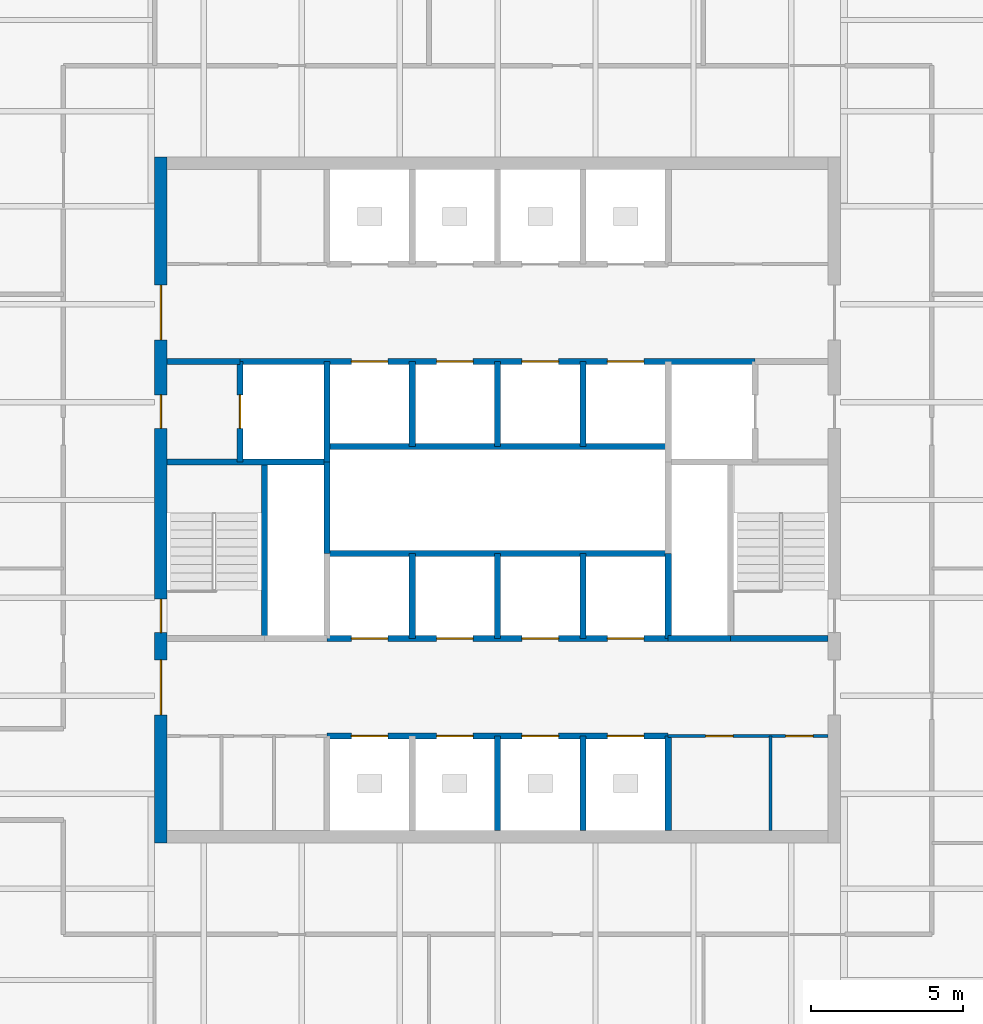
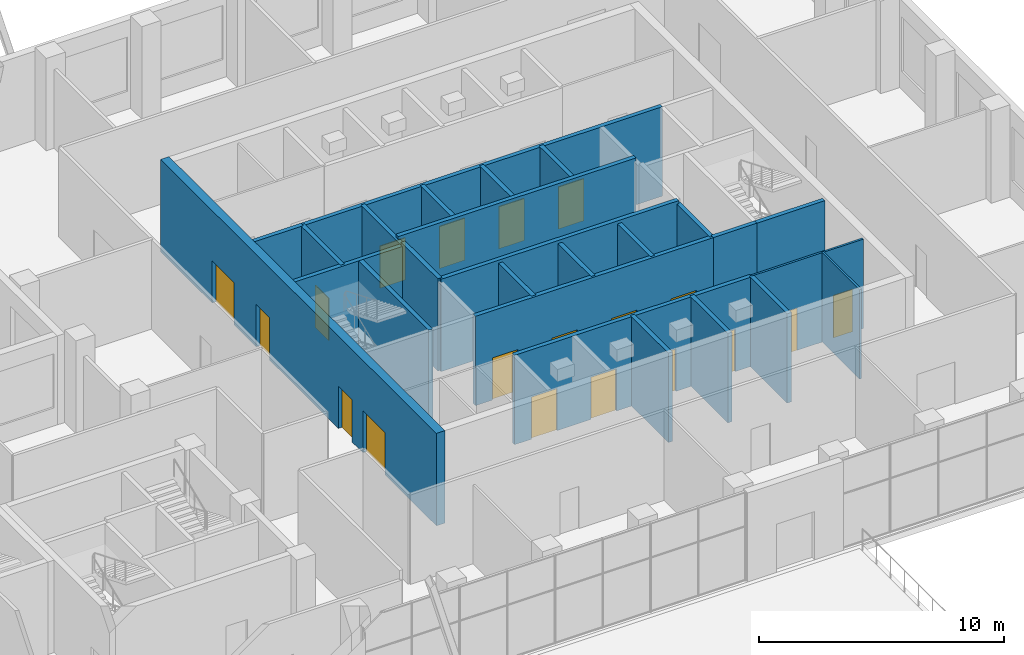
# One storey, part 9 of 14: 26 walls, 19 doors, 19 openings.
"""IFC4 building model written with IfcOpenShell, lengths in metres."""

from ifc_helpers import new_model, si_unit, direction, frame, frame_2d, origin, place, context, subcontext, project, spatial, rectangle, extrude, material, layer, layer_set, type_object, element, fill, save


model = new_model("IFC4")

# Units and contexts
model_context = context("Model", 3, precision=1e-05, world=origin(), true_north=direction((0.0, 1.0)))
body_context = subcontext(model_context, "Body", "Model", "MODEL_VIEW")
ifc_project = project(units=[si_unit("LENGTHUNIT", "METRE"), si_unit("AREAUNIT", "SQUARE_METRE"), si_unit("VOLUMEUNIT", "CUBIC_METRE"), si_unit("PLANEANGLEUNIT", "RADIAN"), si_unit("MASSUNIT", "GRAM", prefix="KILO")], contexts=[model_context])

# Site, building, storey
site_placement = place(None, origin())
site = spatial("IfcSite", under=ifc_project, at=site_placement, CompositionType="ELEMENT")
building_placement = place(site_placement, origin())
building = spatial("IfcBuilding", under=site, at=building_placement, Name="Quoin Convention Tower", CompositionType="ELEMENT")
storey_placement = place(building_placement, frame((0.0, 0.0, 143.10009765625)))
storey = spatial("IfcBuildingStorey", under=building, at=storey_placement, Name="L37", CompositionType="ELEMENT", Elevation=143.10009765625)

# Wall, openings, doors
ifc_material_1 = material(Name="Plasterboard")
ifc_layer_1 = layer(ifc_material_1, 0.012451171875, Name="Finish")
ifc_material_2 = material(Name="Steel stud framing", Category="steel")
ifc_layer_2 = layer(ifc_material_2, 0.074951171875, Name="Structure")
ifc_layer_3 = layer(ifc_material_1, 0.012451171875, Name="Finish")
ifc_layer_set_1 = layer_set([ifc_layer_1, ifc_layer_2, ifc_layer_3], Name="Steel stud framing")
wall_type_1 = type_object("IfcWallType", Name="Core partition wall", PredefinedType="PARTITIONING", material=ifc_layer_set_1)
wall_1_placement = place(storey_placement, frame((61.85009765625, 53.0, 0.0), z_axis=(0.0, 0.0, 1.0), x_axis=(1.0, 0.0, 0.0)))
wall_1 = element("IfcWall", 1, at=wall_1_placement, inside=storey, type_object=wall_type_1, Name="cr-C1-L37-h3500_16850", PredefinedType="PARTITIONING", context=body_context, shape_type="SweptSolid", body=[
    extrude(rectangle(XDim=5.25, YDim=0.10009765625, at=frame_2d((2.625, 0.0))), origin(), (0.0, 0.0, 1.0), 4.449951171875),
])
opening_1_placement = place(wall_1_placement, frame((3.85498046875, 0.0, 0.0)))
opening_1 = element("IfcOpeningElement", 2, at=opening_1_placement, cuts=wall_1, Name="Opening DCV1-26", PredefinedType="OPENING", context=body_context, shape_type="SweptSolid", body=[
    extrude(rectangle(XDim=0.89990234375, YDim=2.10009765625, at=frame_2d((0.449951171875, 1.050048828125))), frame((0.0, 0.06005859375, 0.0), z_axis=(0.0, -1.0, 0.0), x_axis=(1.0, 0.0, 0.0)), (0.0, 0.0, 1.0), 0.1201171875),
])
opening_2_placement = place(wall_1_placement, frame((1.22998046875, 0.0, 0.0)))
opening_2 = element("IfcOpeningElement", 3, at=opening_2_placement, cuts=wall_1, Name="Opening DCV1-22", PredefinedType="OPENING", context=body_context, shape_type="SweptSolid", body=[
    extrude(rectangle(XDim=0.89990234375, YDim=2.10009765625, at=frame_2d((0.449951171875, 1.050048828125))), frame((0.0, 0.06005859375, 0.0), z_axis=(0.0, -1.0, 0.0), x_axis=(1.0, 0.0, 0.0)), (0.0, 0.0, 1.0), 0.1201171875),
])
ifc_material_3 = material(Name="Steel door leaf", Category="steel")
door_type_1 = type_object("IfcDoorType", Name="Core room door 900 x 2100", OperationType="SINGLE_SWING_LEFT", PredefinedType="DOOR", material=ifc_material_3)
door_1_placement = place(opening_1_placement, frame((0.89990234375, 0.0, 0.0), z_axis=(0.0, 0.0, 1.0), x_axis=(-1.0, 0.0, 0.0)))
door_1 = element("IfcDoor", 4, at=door_1_placement, inside=storey, type_object=door_type_1, Name="cd-C1-L37-CSE0-lobA-CD3710", OperationType="SINGLE_SWING_LEFT", OverallHeight=2.10009765625, OverallWidth=0.89990234375, PredefinedType="DOOR", context=body_context, shape_type="SweptSolid", body=[
    extrude(rectangle(XDim=0.89990234375, YDim=2.10009765625, at=frame_2d((0.449951171875, 1.050048828125))), frame((0.0, 0.02490234375, 0.0), z_axis=(0.0, -1.0, 0.0), x_axis=(1.0, 0.0, 0.0)), (0.0, 0.0, 1.0), 0.050048828125),
])
fill(opening_1, door_1)
door_2_placement = place(opening_2_placement, frame((0.89990234375, 0.0, 0.0), z_axis=(0.0, 0.0, 1.0), x_axis=(-1.0, 0.0, 0.0)))
door_2 = element("IfcDoor", 5, at=door_2_placement, inside=storey, type_object=door_type_1, Name="cd-C1-L37-CSE1-lobA-CD3711", OperationType="SINGLE_SWING_LEFT", OverallHeight=2.10009765625, OverallWidth=0.89990234375, PredefinedType="DOOR", context=body_context, shape_type="SweptSolid", body=[
    extrude(rectangle(XDim=0.89990234375, YDim=2.10009765625, at=frame_2d((0.449951171875, 1.050048828125))), frame((0.0, 0.02490234375, 0.0), z_axis=(0.0, -1.0, 0.0), x_axis=(1.0, 0.0, 0.0)), (0.0, 0.0, 1.0), 0.050048828125),
])
fill(opening_2, door_2)

# Wall
wall_2_placement = place(storey_placement, frame((65.2099609375, 49.89990234375, 0.0), z_axis=(0.0, 0.0, 1.0), x_axis=(0.0, 1.0, 0.0)))
element("IfcWall", 6, at=wall_2_placement, inside=storey, type_object=wall_type_1, Name="cr-C1-L37-v20210_400", PredefinedType="PARTITIONING", context=body_context, shape_type="SweptSolid", body=[
    extrude(rectangle(XDim=3.10009765625, YDim=0.10009765625, at=frame_2d((1.550048828125, 0.0))), origin(), (0.0, 0.0, 1.0), 4.449951171875),
])

# Wall, openings, doors
ifc_material_4 = material(Name="Concrete C50", Category="concrete")
ifc_layer_4 = layer(ifc_material_4, 0.199951171875)
ifc_layer_set_2 = layer_set([ifc_layer_4], Name="Concrete C50")
wall_type_2 = type_object("IfcWallType", Name="Core shaft wall", PredefinedType="SOLIDWALL", material=ifc_layer_set_2)
wall_3_placement = place(storey_placement, frame((50.64990234375, 53.0, 0.0), z_axis=(0.0, 0.0, 1.0), x_axis=(1.0, 0.0, 0.0)))
wall_3 = element("IfcWall", 7, at=wall_3_placement, inside=storey, type_object=wall_type_2, Name="cr-C1-L37-h3500_5650", PredefinedType="SOLIDWALL", context=body_context, shape_type="SweptSolid", body=[
    extrude(rectangle(XDim=11.2001953125, YDim=0.199951171875, at=frame_2d((5.60009765625, 0.0))), origin(), (0.0, 0.0, 1.0), 4.449951171875),
])
opening_3_placement = place(wall_3_placement, frame((0.800048828125, 0.0, 0.0)))
opening_3 = element("IfcOpeningElement", 8, at=opening_3_placement, cuts=wall_3, Name="Opening LDL1", PredefinedType="OPENING", context=body_context, shape_type="SweptSolid", body=[
    extrude(rectangle(XDim=1.199951171875, YDim=2.10009765625, at=frame_2d((0.60009765625, 1.050048828125))), frame((0.0, 0.10986328125, 0.0), z_axis=(0.0, -1.0, 0.0), x_axis=(1.0, 0.0, 0.0)), (0.0, 0.0, 1.0), 0.219970703125),
])
opening_4_placement = place(wall_3_placement, frame((3.60009765625, 0.0, 0.0)))
opening_4 = element("IfcOpeningElement", 9, at=opening_4_placement, cuts=wall_3, Name="Opening LDL2", PredefinedType="OPENING", context=body_context, shape_type="SweptSolid", body=[
    extrude(rectangle(XDim=1.199951171875, YDim=2.10009765625, at=frame_2d((0.60009765625, 1.050048828125))), frame((0.0, 0.10986328125, 0.0), z_axis=(0.0, -1.0, 0.0), x_axis=(1.0, 0.0, 0.0)), (0.0, 0.0, 1.0), 0.219970703125),
])
opening_5_placement = place(wall_3_placement, frame((6.39990234375, 0.0, 0.0)))
opening_5 = element("IfcOpeningElement", 10, at=opening_5_placement, cuts=wall_3, Name="Opening LDL3", PredefinedType="OPENING", context=body_context, shape_type="SweptSolid", body=[
    extrude(rectangle(XDim=1.199951171875, YDim=2.10009765625, at=frame_2d((0.60009765625, 1.050048828125))), frame((0.0, 0.10986328125, 0.0), z_axis=(0.0, -1.0, 0.0), x_axis=(1.0, 0.0, 0.0)), (0.0, 0.0, 1.0), 0.219970703125),
])
opening_6_placement = place(wall_3_placement, frame((9.199951171875, 0.0, 0.0)))
opening_6 = element("IfcOpeningElement", 11, at=opening_6_placement, cuts=wall_3, Name="Opening LDL4", PredefinedType="OPENING", context=body_context, shape_type="SweptSolid", body=[
    extrude(rectangle(XDim=1.199951171875, YDim=2.10009765625, at=frame_2d((0.60009765625, 1.050048828125))), frame((0.0, 0.10986328125, 0.0), z_axis=(0.0, -1.0, 0.0), x_axis=(1.0, 0.0, 0.0)), (0.0, 0.0, 1.0), 0.219970703125),
])
door_type_2 = type_object("IfcDoorType", Name="Lift landing door 1200 x 2100", OperationType="DOUBLE_DOOR_SLIDING", PredefinedType="DOOR", material=ifc_material_3)
door_3_placement = place(opening_3_placement, origin())
door_3 = element("IfcDoor", 12, at=door_3_placement, inside=storey, type_object=door_type_2, Name="cd-C1-L37-R10-lobA-LDL1", OperationType="DOUBLE_DOOR_SLIDING", OverallHeight=2.10009765625, OverallWidth=1.199951171875, PredefinedType="DOOR", context=body_context, shape_type="SweptSolid", body=[
    extrude(rectangle(XDim=1.199951171875, YDim=2.10009765625, at=frame_2d((0.60009765625, 1.050048828125))), frame((0.0, 0.02490234375, 0.0), z_axis=(0.0, -1.0, 0.0), x_axis=(1.0, 0.0, 0.0)), (0.0, 0.0, 1.0), 0.050048828125),
])
fill(opening_3, door_3)
door_4_placement = place(opening_4_placement, origin())
door_4 = element("IfcDoor", 13, at=door_4_placement, inside=storey, type_object=door_type_2, Name="cd-C1-L37-R11-lobA-LDL2", OperationType="DOUBLE_DOOR_SLIDING", OverallHeight=2.10009765625, OverallWidth=1.199951171875, PredefinedType="DOOR", context=body_context, shape_type="SweptSolid", body=[
    extrude(rectangle(XDim=1.199951171875, YDim=2.10009765625, at=frame_2d((0.60009765625, 1.050048828125))), frame((0.0, 0.02490234375, 0.0), z_axis=(0.0, -1.0, 0.0), x_axis=(1.0, 0.0, 0.0)), (0.0, 0.0, 1.0), 0.050048828125),
])
fill(opening_4, door_4)
door_5_placement = place(opening_5_placement, origin())
door_5 = element("IfcDoor", 14, at=door_5_placement, inside=storey, type_object=door_type_2, Name="cd-C1-L37-R12-lobA-LDL3", OperationType="DOUBLE_DOOR_SLIDING", OverallHeight=2.10009765625, OverallWidth=1.199951171875, PredefinedType="DOOR", context=body_context, shape_type="SweptSolid", body=[
    extrude(rectangle(XDim=1.199951171875, YDim=2.10009765625, at=frame_2d((0.60009765625, 1.050048828125))), frame((0.0, 0.02490234375, 0.0), z_axis=(0.0, -1.0, 0.0), x_axis=(1.0, 0.0, 0.0)), (0.0, 0.0, 1.0), 0.050048828125),
])
fill(opening_5, door_5)
door_6_placement = place(opening_6_placement, origin())
door_6 = element("IfcDoor", 15, at=door_6_placement, inside=storey, type_object=door_type_2, Name="cd-C1-L37-R13-lobA-LDL4", OperationType="DOUBLE_DOOR_SLIDING", OverallHeight=2.10009765625, OverallWidth=1.199951171875, PredefinedType="DOOR", context=body_context, shape_type="SweptSolid", body=[
    extrude(rectangle(XDim=1.199951171875, YDim=2.10009765625, at=frame_2d((0.60009765625, 1.050048828125))), frame((0.0, 0.02490234375, 0.0), z_axis=(0.0, -1.0, 0.0), x_axis=(1.0, 0.0, 0.0)), (0.0, 0.0, 1.0), 0.050048828125),
])
fill(opening_6, door_6)

# Wall
wall_4_placement = place(storey_placement, frame((61.85009765625, 56.199951171875, 0.0), z_axis=(0.0, 0.0, 1.0), x_axis=(1.0, 0.0, 0.0)))
element("IfcWall", 16, at=wall_4_placement, inside=storey, type_object=wall_type_2, Name="cr-C1-L37-h6700_16850", PredefinedType="SOLIDWALL", context=body_context, shape_type="SweptSolid", body=[
    extrude(rectangle(XDim=2.0498046875, YDim=0.199951171875, at=frame_2d((1.02490234375, 0.0))), origin(), (0.0, 0.0, 1.0), 4.449951171875),
])

# Wall, openings, doors
wall_5_placement = place(storey_placement, frame((50.64990234375, 56.199951171875, 0.0), z_axis=(0.0, 0.0, 1.0), x_axis=(1.0, 0.0, 0.0)))
wall_5 = element("IfcWall", 17, at=wall_5_placement, inside=storey, type_object=wall_type_2, Name="cr-C1-L37-h6700_5650", PredefinedType="SOLIDWALL", context=body_context, shape_type="SweptSolid", body=[
    extrude(rectangle(XDim=11.2001953125, YDim=0.199951171875, at=frame_2d((5.60009765625, 0.0))), origin(), (0.0, 0.0, 1.0), 4.449951171875),
])
opening_7_placement = place(wall_5_placement, frame((0.800048828125, 0.0, 0.0)))
opening_7 = element("IfcOpeningElement", 18, at=opening_7_placement, cuts=wall_5, Name="Opening LDH1", PredefinedType="OPENING", context=body_context, shape_type="SweptSolid", body=[
    extrude(rectangle(XDim=1.199951171875, YDim=2.10009765625, at=frame_2d((0.60009765625, 1.050048828125))), frame((0.0, 0.10986328125, 0.0), z_axis=(0.0, -1.0, 0.0), x_axis=(1.0, 0.0, 0.0)), (0.0, 0.0, 1.0), 0.219970703125),
])
opening_8_placement = place(wall_5_placement, frame((3.60009765625, 0.0, 0.0)))
opening_8 = element("IfcOpeningElement", 19, at=opening_8_placement, cuts=wall_5, Name="Opening LDH2", PredefinedType="OPENING", context=body_context, shape_type="SweptSolid", body=[
    extrude(rectangle(XDim=1.199951171875, YDim=2.10009765625, at=frame_2d((0.60009765625, 1.050048828125))), frame((0.0, 0.10986328125, 0.0), z_axis=(0.0, -1.0, 0.0), x_axis=(1.0, 0.0, 0.0)), (0.0, 0.0, 1.0), 0.219970703125),
])
opening_9_placement = place(wall_5_placement, frame((6.39990234375, 0.0, 0.0)))
opening_9 = element("IfcOpeningElement", 20, at=opening_9_placement, cuts=wall_5, Name="Opening LDH3", PredefinedType="OPENING", context=body_context, shape_type="SweptSolid", body=[
    extrude(rectangle(XDim=1.199951171875, YDim=2.10009765625, at=frame_2d((0.60009765625, 1.050048828125))), frame((0.0, 0.10986328125, 0.0), z_axis=(0.0, -1.0, 0.0), x_axis=(1.0, 0.0, 0.0)), (0.0, 0.0, 1.0), 0.219970703125),
])
opening_10_placement = place(wall_5_placement, frame((9.199951171875, 0.0, 0.0)))
opening_10 = element("IfcOpeningElement", 21, at=opening_10_placement, cuts=wall_5, Name="Opening LDH4", PredefinedType="OPENING", context=body_context, shape_type="SweptSolid", body=[
    extrude(rectangle(XDim=1.199951171875, YDim=2.10009765625, at=frame_2d((0.60009765625, 1.050048828125))), frame((0.0, 0.10986328125, 0.0), z_axis=(0.0, -1.0, 0.0), x_axis=(1.0, 0.0, 0.0)), (0.0, 0.0, 1.0), 0.219970703125),
])
door_7_placement = place(opening_7_placement, origin())
door_7 = element("IfcDoor", 22, at=door_7_placement, inside=storey, type_object=door_type_2, Name="cd-C1-L37-R20-lobA-LDH1", OperationType="DOUBLE_DOOR_SLIDING", OverallHeight=2.10009765625, OverallWidth=1.199951171875, PredefinedType="DOOR", context=body_context, shape_type="SweptSolid", body=[
    extrude(rectangle(XDim=1.199951171875, YDim=2.10009765625, at=frame_2d((0.60009765625, 1.050048828125))), frame((0.0, 0.02490234375, 0.0), z_axis=(0.0, -1.0, 0.0), x_axis=(1.0, 0.0, 0.0)), (0.0, 0.0, 1.0), 0.050048828125),
])
fill(opening_7, door_7)
door_8_placement = place(opening_8_placement, origin())
door_8 = element("IfcDoor", 23, at=door_8_placement, inside=storey, type_object=door_type_2, Name="cd-C1-L37-R21-lobA-LDH2", OperationType="DOUBLE_DOOR_SLIDING", OverallHeight=2.10009765625, OverallWidth=1.199951171875, PredefinedType="DOOR", context=body_context, shape_type="SweptSolid", body=[
    extrude(rectangle(XDim=1.199951171875, YDim=2.10009765625, at=frame_2d((0.60009765625, 1.050048828125))), frame((0.0, 0.02490234375, 0.0), z_axis=(0.0, -1.0, 0.0), x_axis=(1.0, 0.0, 0.0)), (0.0, 0.0, 1.0), 0.050048828125),
])
fill(opening_8, door_8)
door_9_placement = place(opening_9_placement, origin())
door_9 = element("IfcDoor", 24, at=door_9_placement, inside=storey, type_object=door_type_2, Name="cd-C1-L37-R22-lobA-LDH3", OperationType="DOUBLE_DOOR_SLIDING", OverallHeight=2.10009765625, OverallWidth=1.199951171875, PredefinedType="DOOR", context=body_context, shape_type="SweptSolid", body=[
    extrude(rectangle(XDim=1.199951171875, YDim=2.10009765625, at=frame_2d((0.60009765625, 1.050048828125))), frame((0.0, 0.02490234375, 0.0), z_axis=(0.0, -1.0, 0.0), x_axis=(1.0, 0.0, 0.0)), (0.0, 0.0, 1.0), 0.050048828125),
])
fill(opening_9, door_9)
door_10_placement = place(opening_10_placement, origin())
door_10 = element("IfcDoor", 25, at=door_10_placement, inside=storey, type_object=door_type_2, Name="cd-C1-L37-R23-lobA-LDH4", OperationType="DOUBLE_DOOR_SLIDING", OverallHeight=2.10009765625, OverallWidth=1.199951171875, PredefinedType="DOOR", context=body_context, shape_type="SweptSolid", body=[
    extrude(rectangle(XDim=1.199951171875, YDim=2.10009765625, at=frame_2d((0.60009765625, 1.050048828125))), frame((0.0, 0.02490234375, 0.0), z_axis=(0.0, -1.0, 0.0), x_axis=(1.0, 0.0, 0.0)), (0.0, 0.0, 1.0), 0.050048828125),
])
fill(opening_10, door_10)

# Walls
wall_6_placement = place(storey_placement, frame((63.89990234375, 56.199951171875, 0.0), z_axis=(0.0, 0.0, 1.0), x_axis=(1.0, 0.0, 0.0)))
element("IfcWall", 26, at=wall_6_placement, inside=storey, type_object=wall_type_2, Name="cr-C1-L37-h6700_18900", PredefinedType="SOLIDWALL", context=body_context, shape_type="SweptSolid", body=[
    extrude(rectangle(XDim=3.2001953125, YDim=0.199951171875, at=frame_2d((1.60009765625, 0.0))), origin(), (0.0, 0.0, 1.0), 4.449951171875),
])
wall_7_placement = place(storey_placement, frame((45.39990234375, 62.0, 0.0), z_axis=(0.0, 0.0, 1.0), x_axis=(1.0, 0.0, 0.0)))
element("IfcWall", 27, at=wall_7_placement, inside=storey, type_object=wall_type_2, Name="cr-C1-L37-h12500_400", PredefinedType="SOLIDWALL", context=body_context, shape_type="SweptSolid", body=[
    extrude(rectangle(XDim=5.25, YDim=0.199951171875, at=frame_2d((2.625, 0.0))), origin(), (0.0, 0.0, 1.0), 4.449951171875),
])
wall_8_placement = place(storey_placement, frame((45.39990234375, 65.300048828125, 0.0), z_axis=(0.0, 0.0, 1.0), x_axis=(1.0, 0.0, 0.0)))
element("IfcWall", 28, at=wall_8_placement, inside=storey, type_object=wall_type_2, Name="cr-C1-L37-h15800_400", PredefinedType="SOLIDWALL", context=body_context, shape_type="SweptSolid", body=[
    extrude(rectangle(XDim=2.400146484375, YDim=0.199951171875, at=frame_2d((1.2001953125, 0.0))), origin(), (0.0, 0.0, 1.0), 4.449951171875),
])

# Wall, openings, doors
wall_9_placement = place(storey_placement, frame((47.800048828125, 65.300048828125, 0.0), z_axis=(0.0, 0.0, 1.0), x_axis=(1.0, 0.0, 0.0)))
wall_9 = element("IfcWall", 29, at=wall_9_placement, inside=storey, type_object=wall_type_2, Name="cr-C1-L37-h15800_2800", PredefinedType="SOLIDWALL", context=body_context, shape_type="SweptSolid", body=[
    extrude(rectangle(XDim=16.89990234375, YDim=0.199951171875, at=frame_2d((8.449951171875, 0.0))), origin(), (0.0, 0.0, 1.0), 4.449951171875),
])
opening_11_placement = place(wall_9_placement, frame((3.64990234375, 0.0, 0.0)))
opening_11 = element("IfcOpeningElement", 30, at=opening_11_placement, cuts=wall_9, Name="Opening LDH5", PredefinedType="OPENING", context=body_context, shape_type="SweptSolid", body=[
    extrude(rectangle(XDim=1.199951171875, YDim=2.10009765625, at=frame_2d((0.60009765625, 1.050048828125))), frame((0.0, 0.10986328125, 0.0), z_axis=(0.0, -1.0, 0.0), x_axis=(1.0, 0.0, 0.0)), (0.0, 0.0, 1.0), 0.219970703125),
])
opening_12_placement = place(wall_9_placement, frame((6.449951171875, 0.0, 0.0)))
opening_12 = element("IfcOpeningElement", 31, at=opening_12_placement, cuts=wall_9, Name="Opening LDH6", PredefinedType="OPENING", context=body_context, shape_type="SweptSolid", body=[
    extrude(rectangle(XDim=1.199951171875, YDim=2.10009765625, at=frame_2d((0.60009765625, 1.050048828125))), frame((0.0, 0.10986328125, 0.0), z_axis=(0.0, -1.0, 0.0), x_axis=(1.0, 0.0, 0.0)), (0.0, 0.0, 1.0), 0.219970703125),
])
opening_13_placement = place(wall_9_placement, frame((9.25, 0.0, 0.0)))
opening_13 = element("IfcOpeningElement", 32, at=opening_13_placement, cuts=wall_9, Name="Opening LDH7", PredefinedType="OPENING", context=body_context, shape_type="SweptSolid", body=[
    extrude(rectangle(XDim=1.199951171875, YDim=2.10009765625, at=frame_2d((0.60009765625, 1.050048828125))), frame((0.0, 0.10986328125, 0.0), z_axis=(0.0, -1.0, 0.0), x_axis=(1.0, 0.0, 0.0)), (0.0, 0.0, 1.0), 0.219970703125),
])
opening_14_placement = place(wall_9_placement, frame((12.050048828125, 0.0, 0.0)))
opening_14 = element("IfcOpeningElement", 33, at=opening_14_placement, cuts=wall_9, Name="Opening LDH8", PredefinedType="OPENING", context=body_context, shape_type="SweptSolid", body=[
    extrude(rectangle(XDim=1.199951171875, YDim=2.10009765625, at=frame_2d((0.60009765625, 1.050048828125))), frame((0.0, 0.10986328125, 0.0), z_axis=(0.0, -1.0, 0.0), x_axis=(1.0, 0.0, 0.0)), (0.0, 0.0, 1.0), 0.219970703125),
])
door_11_placement = place(opening_11_placement, origin())
door_11 = element("IfcDoor", 34, at=door_11_placement, inside=storey, type_object=door_type_2, Name="cd-C1-L37-R30-lobB-LDH5", OperationType="DOUBLE_DOOR_SLIDING", OverallHeight=2.10009765625, OverallWidth=1.199951171875, PredefinedType="DOOR", context=body_context, shape_type="SweptSolid", body=[
    extrude(rectangle(XDim=1.199951171875, YDim=2.10009765625, at=frame_2d((0.60009765625, 1.050048828125))), frame((0.0, 0.02490234375, 0.0), z_axis=(0.0, -1.0, 0.0), x_axis=(1.0, 0.0, 0.0)), (0.0, 0.0, 1.0), 0.050048828125),
])
fill(opening_11, door_11)
door_12_placement = place(opening_12_placement, origin())
door_12 = element("IfcDoor", 35, at=door_12_placement, inside=storey, type_object=door_type_2, Name="cd-C1-L37-R31-lobB-LDH6", OperationType="DOUBLE_DOOR_SLIDING", OverallHeight=2.10009765625, OverallWidth=1.199951171875, PredefinedType="DOOR", context=body_context, shape_type="SweptSolid", body=[
    extrude(rectangle(XDim=1.199951171875, YDim=2.10009765625, at=frame_2d((0.60009765625, 1.050048828125))), frame((0.0, 0.02490234375, 0.0), z_axis=(0.0, -1.0, 0.0), x_axis=(1.0, 0.0, 0.0)), (0.0, 0.0, 1.0), 0.050048828125),
])
fill(opening_12, door_12)
door_13_placement = place(opening_13_placement, origin())
door_13 = element("IfcDoor", 36, at=door_13_placement, inside=storey, type_object=door_type_2, Name="cd-C1-L37-R32-lobB-LDH7", OperationType="DOUBLE_DOOR_SLIDING", OverallHeight=2.10009765625, OverallWidth=1.199951171875, PredefinedType="DOOR", context=body_context, shape_type="SweptSolid", body=[
    extrude(rectangle(XDim=1.199951171875, YDim=2.10009765625, at=frame_2d((0.60009765625, 1.050048828125))), frame((0.0, 0.02490234375, 0.0), z_axis=(0.0, -1.0, 0.0), x_axis=(1.0, 0.0, 0.0)), (0.0, 0.0, 1.0), 0.050048828125),
])
fill(opening_13, door_13)
door_14_placement = place(opening_14_placement, origin())
door_14 = element("IfcDoor", 37, at=door_14_placement, inside=storey, type_object=door_type_2, Name="cd-C1-L37-R33-lobB-LDH8", OperationType="DOUBLE_DOOR_SLIDING", OverallHeight=2.10009765625, OverallWidth=1.199951171875, PredefinedType="DOOR", context=body_context, shape_type="SweptSolid", body=[
    extrude(rectangle(XDim=1.199951171875, YDim=2.10009765625, at=frame_2d((0.60009765625, 1.050048828125))), frame((0.0, 0.02490234375, 0.0), z_axis=(0.0, -1.0, 0.0), x_axis=(1.0, 0.0, 0.0)), (0.0, 0.0, 1.0), 0.050048828125),
])
fill(opening_14, door_14)

# Wall, opening, door
wall_10_placement = place(storey_placement, frame((47.800048828125, 62.0, 0.0), z_axis=(0.0, 0.0, 1.0), x_axis=(0.0, 1.0, 0.0)))
wall_10 = element("IfcWall", 38, at=wall_10_placement, inside=storey, type_object=wall_type_2, Name="cr-C1-L37-v2800_12500", PredefinedType="SOLIDWALL", context=body_context, shape_type="SweptSolid", body=[
    extrude(rectangle(XDim=3.300048828125, YDim=0.199951171875, at=frame_2d((1.64990234375, 0.0))), origin(), (0.0, 0.0, 1.0), 4.449951171875),
])
opening_15_placement = place(wall_10_placement, frame((1.10009765625, 0.0, 0.0)))
opening_15 = element("IfcOpeningElement", 39, at=opening_15_placement, cuts=wall_10, Name="Opening LDFL1", PredefinedType="OPENING", context=body_context, shape_type="SweptSolid", body=[
    extrude(rectangle(XDim=1.10009765625, YDim=2.10009765625, at=frame_2d((0.550048828125, 1.050048828125))), frame((0.0, 0.10986328125, 0.0), z_axis=(0.0, -1.0, 0.0), x_axis=(1.0, 0.0, 0.0)), (0.0, 0.0, 1.0), 0.219970703125),
])
door_type_3 = type_object("IfcDoorType", Name="Lift landing door 1100 x 2100", OperationType="DOUBLE_DOOR_SLIDING", PredefinedType="DOOR", material=ifc_material_3)
door_15_placement = place(opening_15_placement, origin())
door_15 = element("IfcDoor", 40, at=door_15_placement, inside=storey, type_object=door_type_3, Name="cd-C1-L37-FLW-FFW-LDFL1", OperationType="DOUBLE_DOOR_SLIDING", OverallHeight=2.10009765625, OverallWidth=1.10009765625, PredefinedType="DOOR", context=body_context, shape_type="SweptSolid", body=[
    extrude(rectangle(XDim=1.10009765625, YDim=2.10009765625, at=frame_2d((0.550048828125, 1.050048828125))), frame((0.0, 0.02490234375, 0.0), z_axis=(0.0, -1.0, 0.0), x_axis=(1.0, 0.0, 0.0)), (0.0, 0.0, 1.0), 0.050048828125),
])
fill(opening_15, door_15)

# Walls
wall_11_placement = place(storey_placement, frame((48.60009765625, 56.199951171875, 0.0), z_axis=(0.0, 0.0, 1.0), x_axis=(0.0, 1.0, 0.0)))
element("IfcWall", 41, at=wall_11_placement, inside=storey, type_object=wall_type_2, Name="cr-C1-L37-v3600_6700", PredefinedType="SOLIDWALL", context=body_context, shape_type="SweptSolid", body=[
    extrude(rectangle(XDim=5.800048828125, YDim=0.199951171875, at=frame_2d((2.89990234375, 0.0))), origin(), (0.0, 0.0, 1.0), 4.449951171875),
])
wall_12_placement = place(storey_placement, frame((50.64990234375, 62.0, 0.0), z_axis=(0.0, 0.0, 1.0), x_axis=(0.0, 1.0, 0.0)))
element("IfcWall", 42, at=wall_12_placement, inside=storey, type_object=wall_type_2, Name="cr-C1-L37-v5650_12500", PredefinedType="SOLIDWALL", context=body_context, shape_type="SweptSolid", body=[
    extrude(rectangle(XDim=3.300048828125, YDim=0.199951171875, at=frame_2d((1.64990234375, 0.0))), origin(), (0.0, 0.0, 1.0), 4.449951171875),
])
for number, where, z_axis, x_axis, name in (
    (43, (53.449951171875, 56.199951171875, 0.0), (0.0, 0.0, 1.0), (0.0, 1.0, 0.0), "cr-C1-L37-v8450_6700"),
    (44, (53.449951171875, 62.5, 0.0), (0.0, 0.0, 1.0), (0.0, 1.0, 0.0), "cr-C1-L37-v8450_13000"),
):
    element("IfcWall", number, at=place(storey_placement, frame(where, z_axis=z_axis, x_axis=x_axis)), inside=storey, type_object=wall_type_2, Name=name, PredefinedType="SOLIDWALL", context=body_context, shape_type="SweptSolid", body=[
        extrude(rectangle(XDim=2.800048828125, YDim=0.199951171875, at=frame_2d((1.39990234375, 0.0))), origin(), (0.0, 0.0, 1.0), 4.449951171875),
    ])
wall_13_placement = place(storey_placement, frame((56.25, 49.89990234375, 0.0), z_axis=(0.0, 0.0, 1.0), x_axis=(0.0, 1.0, 0.0)))
element("IfcWall", 45, at=wall_13_placement, inside=storey, type_object=wall_type_2, Name="cr-C1-L37-v11250_400", PredefinedType="SOLIDWALL", context=body_context, shape_type="SweptSolid", body=[
    extrude(rectangle(XDim=3.10009765625, YDim=0.199951171875, at=frame_2d((1.550048828125, 0.0))), origin(), (0.0, 0.0, 1.0), 4.449951171875),
])
for number, where, z_axis, x_axis, name in (
    (46, (56.25, 56.199951171875, 0.0), (0.0, 0.0, 1.0), (0.0, 1.0, 0.0), "cr-C1-L37-v11250_6700"),
    (47, (56.25, 62.5, 0.0), (0.0, 0.0, 1.0), (0.0, 1.0, 0.0), "cr-C1-L37-v11250_13000"),
):
    element("IfcWall", number, at=place(storey_placement, frame(where, z_axis=z_axis, x_axis=x_axis)), inside=storey, type_object=wall_type_2, Name=name, PredefinedType="SOLIDWALL", context=body_context, shape_type="SweptSolid", body=[
        extrude(rectangle(XDim=2.800048828125, YDim=0.199951171875, at=frame_2d((1.39990234375, 0.0))), origin(), (0.0, 0.0, 1.0), 4.449951171875),
    ])
wall_14_placement = place(storey_placement, frame((59.050048828125, 49.89990234375, 0.0), z_axis=(0.0, 0.0, 1.0), x_axis=(0.0, 1.0, 0.0)))
element("IfcWall", 48, at=wall_14_placement, inside=storey, type_object=wall_type_2, Name="cr-C1-L37-v14050_400", PredefinedType="SOLIDWALL", context=body_context, shape_type="SweptSolid", body=[
    extrude(rectangle(XDim=3.10009765625, YDim=0.199951171875, at=frame_2d((1.550048828125, 0.0))), origin(), (0.0, 0.0, 1.0), 4.449951171875),
])
for number, where, z_axis, x_axis, name in (
    (49, (59.050048828125, 56.199951171875, 0.0), (0.0, 0.0, 1.0), (0.0, 1.0, 0.0), "cr-C1-L37-v14050_6700"),
    (50, (59.050048828125, 62.5, 0.0), (0.0, 0.0, 1.0), (0.0, 1.0, 0.0), "cr-C1-L37-v14050_13000"),
):
    element("IfcWall", number, at=place(storey_placement, frame(where, z_axis=z_axis, x_axis=x_axis)), inside=storey, type_object=wall_type_2, Name=name, PredefinedType="SOLIDWALL", context=body_context, shape_type="SweptSolid", body=[
        extrude(rectangle(XDim=2.800048828125, YDim=0.199951171875, at=frame_2d((1.39990234375, 0.0))), origin(), (0.0, 0.0, 1.0), 4.449951171875),
    ])
wall_15_placement = place(storey_placement, frame((61.85009765625, 49.89990234375, 0.0), z_axis=(0.0, 0.0, 1.0), x_axis=(0.0, 1.0, 0.0)))
element("IfcWall", 51, at=wall_15_placement, inside=storey, type_object=wall_type_2, Name="cr-C1-L37-v16850_400", PredefinedType="SOLIDWALL", context=body_context, shape_type="SweptSolid", body=[
    extrude(rectangle(XDim=3.10009765625, YDim=0.199951171875, at=frame_2d((1.550048828125, 0.0))), origin(), (0.0, 0.0, 1.0), 4.449951171875),
])
wall_16_placement = place(storey_placement, frame((61.85009765625, 56.199951171875, 0.0), z_axis=(0.0, 0.0, 1.0), x_axis=(0.0, 1.0, 0.0)))
element("IfcWall", 52, at=wall_16_placement, inside=storey, type_object=wall_type_2, Name="cr-C1-L37-v16850_6700", PredefinedType="SOLIDWALL", context=body_context, shape_type="SweptSolid", body=[
    extrude(rectangle(XDim=2.800048828125, YDim=0.199951171875, at=frame_2d((1.39990234375, 0.0))), origin(), (0.0, 0.0, 1.0), 4.449951171875),
])
ifc_layer_5 = layer(ifc_material_4, 0.199951171875)
ifc_layer_set_3 = layer_set([ifc_layer_5], Name="Concrete C50")
wall_type_3 = type_object("IfcWallType", Name="Core shaft wall to the floor level over", PredefinedType="SOLIDWALL", material=ifc_layer_set_3)
for number, where, z_axis, x_axis, name in (
    (53, (50.64990234375, 59.0, 0.0), (0.0, 0.0, 1.0), (1.0, 0.0, 0.0), "cr-C1-L37-h9500_5650"),
    (54, (50.64990234375, 62.5, 0.0), (0.0, 0.0, 1.0), (1.0, 0.0, 0.0), "cr-C1-L37-h13000_5650"),
):
    element("IfcWall", number, at=place(storey_placement, frame(where, z_axis=z_axis, x_axis=x_axis)), inside=storey, type_object=wall_type_3, Name=name, PredefinedType="SOLIDWALL", context=body_context, shape_type="SweptSolid", body=[
        extrude(rectangle(XDim=11.2001953125, YDim=0.199951171875, at=frame_2d((5.60009765625, 0.0))), origin(), (0.0, 0.0, 1.0), 4.599853515625),
    ])
wall_17_placement = place(storey_placement, frame((50.64990234375, 59.0, 0.0), z_axis=(0.0, 0.0, 1.0), x_axis=(0.0, 1.0, 0.0)))
element("IfcWall", 55, at=wall_17_placement, inside=storey, type_object=wall_type_3, Name="cr-C1-L37-v5650_9500", PredefinedType="SOLIDWALL", context=body_context, shape_type="SweptSolid", body=[
    extrude(rectangle(XDim=3.0, YDim=0.199951171875, at=frame_2d((1.5, 0.0))), origin(), (0.0, 0.0, 1.0), 4.599853515625),
])

# Wall, openings, doors
ifc_layer_6 = layer(ifc_material_4, 0.39990234375)
ifc_layer_set_4 = layer_set([ifc_layer_6], Name="Concrete C50")
wall_type_4 = type_object("IfcWallType", Name="RC CORE WALL 400 C50", PredefinedType="SHEAR", material=ifc_layer_set_4)
wall_18_placement = place(storey_placement, frame((45.199951171875, 49.5, 0.0), z_axis=(0.0, 0.0, 1.0), x_axis=(0.0, 1.0, 0.0)))
wall_18 = element("IfcWall", 56, at=wall_18_placement, inside=storey, type_object=wall_type_4, Name="cwl-C1-L37-W", PredefinedType="SHEAR", context=body_context, shape_type="SweptSolid", body=[
    extrude(rectangle(XDim=22.5, YDim=0.39990234375, at=frame_2d((11.25, 0.0))), origin(), (0.0, 0.0, 1.0), 4.599853515625),
])
opening_16_placement = place(wall_18_placement, frame((4.199951171875, 0.0, 0.0)))
opening_16 = element("IfcOpeningElement", 57, at=opening_16_placement, cuts=wall_18, Name="Opening DCV1-49", PredefinedType="OPENING", context=body_context, shape_type="SweptSolid", body=[
    extrude(rectangle(XDim=1.800048828125, YDim=2.10009765625, at=frame_2d((0.89990234375, 1.050048828125))), frame((0.0, 0.2099609375, 0.0), z_axis=(0.0, -1.0, 0.0), x_axis=(1.0, 0.0, 0.0)), (0.0, 0.0, 1.0), 0.419921875),
])
opening_17_placement = place(wall_18_placement, frame((6.89990234375, 0.0, 0.0)))
opening_17 = element("IfcOpeningElement", 58, at=opening_17_placement, cuts=wall_18, Name="Opening SD1", PredefinedType="OPENING", context=body_context, shape_type="SweptSolid", body=[
    extrude(rectangle(XDim=1.10009765625, YDim=2.10009765625, at=frame_2d((0.550048828125, 1.050048828125))), frame((0.0, 0.2099609375, 0.0), z_axis=(0.0, -1.0, 0.0), x_axis=(1.0, 0.0, 0.0)), (0.0, 0.0, 1.0), 0.419921875),
])
opening_18_placement = place(wall_18_placement, frame((13.60009765625, 0.0, 0.0)))
opening_18 = element("IfcOpeningElement", 59, at=opening_18_placement, cuts=wall_18, Name="Opening DCV1-48", PredefinedType="OPENING", context=body_context, shape_type="SweptSolid", body=[
    extrude(rectangle(XDim=1.10009765625, YDim=2.10009765625, at=frame_2d((0.550048828125, 1.050048828125))), frame((0.0, 0.2099609375, 0.0), z_axis=(0.0, -1.0, 0.0), x_axis=(1.0, 0.0, 0.0)), (0.0, 0.0, 1.0), 0.419921875),
])
opening_19_placement = place(wall_18_placement, frame((16.5, 0.0, 0.0)))
opening_19 = element("IfcOpeningElement", 60, at=opening_19_placement, cuts=wall_18, Name="Opening DCV1-49", PredefinedType="OPENING", context=body_context, shape_type="SweptSolid", body=[
    extrude(rectangle(XDim=1.800048828125, YDim=2.10009765625, at=frame_2d((0.89990234375, 1.050048828125))), frame((0.0, 0.2099609375, 0.0), z_axis=(0.0, -1.0, 0.0), x_axis=(1.0, 0.0, 0.0)), (0.0, 0.0, 1.0), 0.419921875),
])
door_type_4 = type_object("IfcDoorType", Name="Fire-fighting lobby door 1100 x 2100", OperationType="SINGLE_SWING_LEFT", PredefinedType="DOOR", material=ifc_material_3)
door_16_placement = place(opening_18_placement, frame((1.10009765625, 0.0, 0.0), z_axis=(0.0, 0.0, 1.0), x_axis=(-1.0, 0.0, 0.0)))
door_16 = element("IfcDoor", 61, at=door_16_placement, inside=storey, type_object=door_type_4, Name="cd-C1-L37-FFW-W", OperationType="SINGLE_SWING_LEFT", OverallHeight=2.10009765625, OverallWidth=1.10009765625, PredefinedType="DOOR", context=body_context, shape_type="SweptSolid", body=[
    extrude(rectangle(XDim=1.10009765625, YDim=2.10009765625, at=frame_2d((0.550048828125, 1.050048828125))), frame((0.0, 0.02490234375, 0.0), z_axis=(0.0, -1.0, 0.0), x_axis=(1.0, 0.0, 0.0)), (0.0, 0.0, 1.0), 0.050048828125),
])
fill(opening_18, door_16)
door_type_5 = type_object("IfcDoorType", Name="Lift lobby door 1800 x 2100", OperationType="SINGLE_SWING_LEFT", PredefinedType="DOOR", material=ifc_material_3)
door_17_placement = place(opening_16_placement, frame((1.800048828125, 0.0, 0.0), z_axis=(0.0, 0.0, 1.0), x_axis=(-1.0, 0.0, 0.0)))
door_17 = element("IfcDoor", 62, at=door_17_placement, inside=storey, type_object=door_type_5, Name="cd-C1-L37-lobA-W", OperationType="SINGLE_SWING_LEFT", OverallHeight=2.10009765625, OverallWidth=1.800048828125, PredefinedType="DOOR", context=body_context, shape_type="SweptSolid", body=[
    extrude(rectangle(XDim=1.800048828125, YDim=2.10009765625, at=frame_2d((0.89990234375, 1.050048828125))), frame((0.0, 0.02490234375, 0.0), z_axis=(0.0, -1.0, 0.0), x_axis=(1.0, 0.0, 0.0)), (0.0, 0.0, 1.0), 0.050048828125),
])
fill(opening_16, door_17)
door_18_placement = place(opening_19_placement, frame((1.800048828125, 0.0, 0.0), z_axis=(0.0, 0.0, 1.0), x_axis=(-1.0, 0.0, 0.0)))
door_18 = element("IfcDoor", 63, at=door_18_placement, inside=storey, type_object=door_type_5, Name="cd-C1-L37-lobB-W", OperationType="SINGLE_SWING_LEFT", OverallHeight=2.10009765625, OverallWidth=1.800048828125, PredefinedType="DOOR", context=body_context, shape_type="SweptSolid", body=[
    extrude(rectangle(XDim=1.800048828125, YDim=2.10009765625, at=frame_2d((0.89990234375, 1.050048828125))), frame((0.0, 0.02490234375, 0.0), z_axis=(0.0, -1.0, 0.0), x_axis=(1.0, 0.0, 0.0)), (0.0, 0.0, 1.0), 0.050048828125),
])
fill(opening_19, door_18)
door_type_6 = type_object("IfcDoorType", Name="Stair door 1100 x 2100", OperationType="SINGLE_SWING_RIGHT", PredefinedType="DOOR", material=ifc_material_3)
door_19_placement = place(opening_17_placement, frame((1.10009765625, 0.0, 0.0), z_axis=(0.0, 0.0, 1.0), x_axis=(-1.0, 0.0, 0.0)))
door_19 = element("IfcDoor", 64, at=door_19_placement, inside=storey, type_object=door_type_6, Name="cd-C1-L37-STW-W", OperationType="SINGLE_SWING_RIGHT", OverallHeight=2.10009765625, OverallWidth=1.10009765625, PredefinedType="DOOR", context=body_context, shape_type="SweptSolid", body=[
    extrude(rectangle(XDim=1.10009765625, YDim=2.10009765625, at=frame_2d((0.550048828125, 1.050048828125))), frame((0.0, 0.02490234375, 0.0), z_axis=(0.0, -1.0, 0.0), x_axis=(1.0, 0.0, 0.0)), (0.0, 0.0, 1.0), 0.050048828125),
])
fill(opening_17, door_19)

save(model, "model.ifc")
